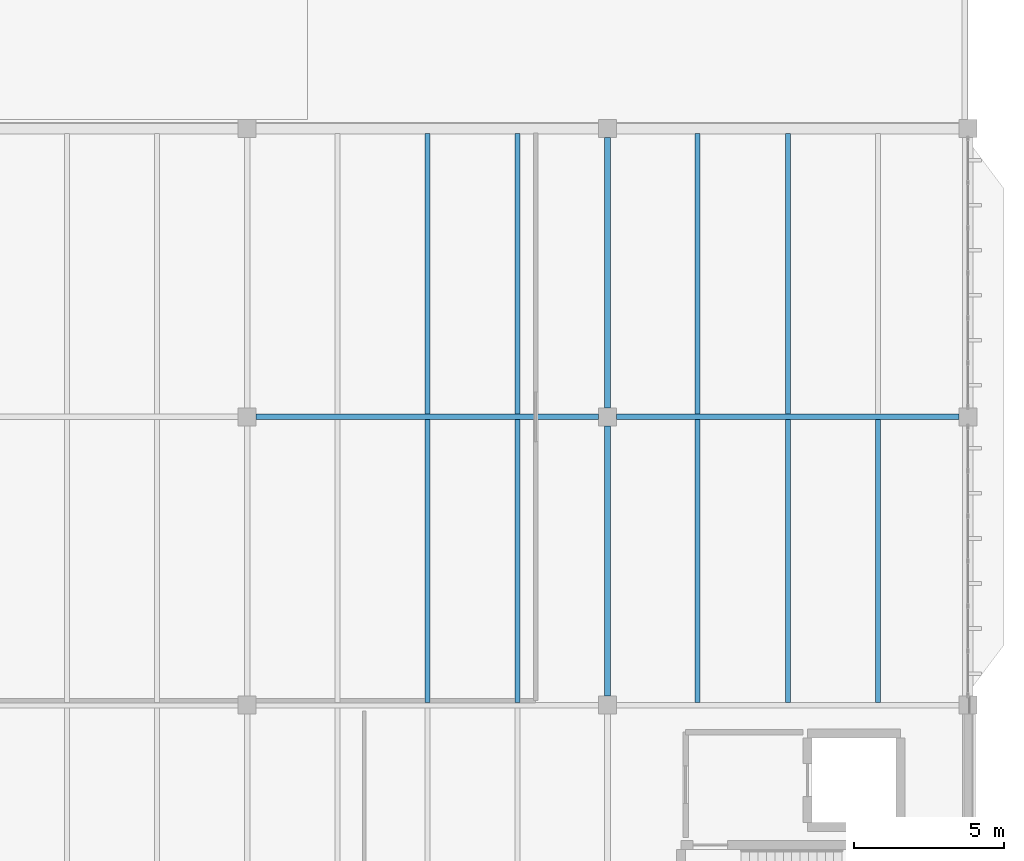
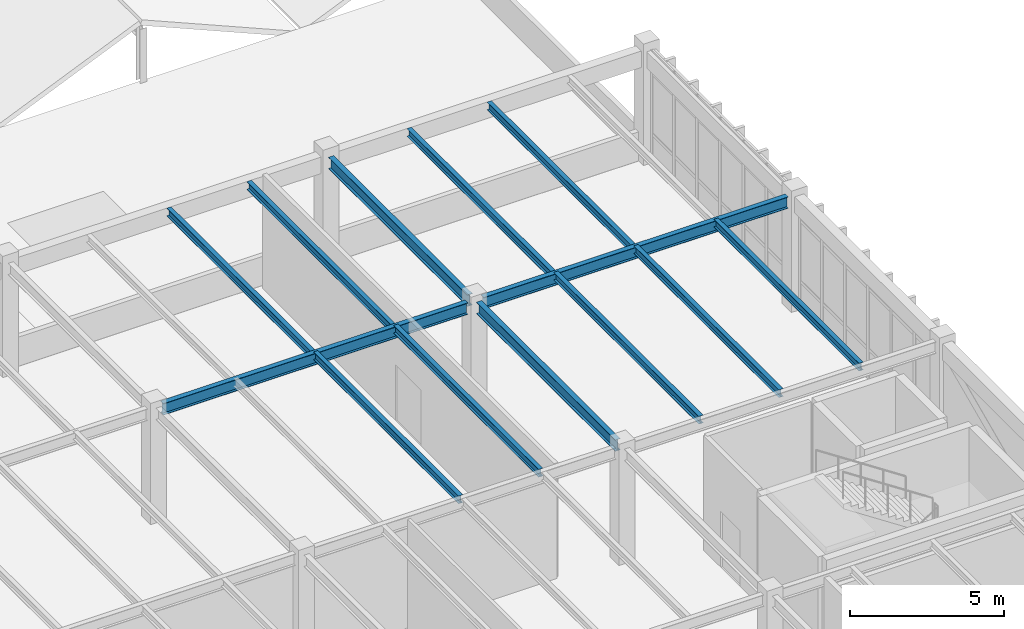
# One storey, part 168 of 236: 13 beams.
"""IFC4 building model written with IfcOpenShell, lengths in metres."""

from ifc_helpers import new_model, si_unit, direction, frame, origin, origin_2d, place, context, subcontext, project, spatial, i_section, extrude, material, material_profile, profile_set, type_object, element, save


model = new_model("IFC4")

# Units and contexts
model_context = context("Model", 3, precision=1e-05, world=origin(), true_north=direction((0.0, 1.0)))
body_context = subcontext(model_context, "Body", "Model", "MODEL_VIEW")
ifc_project = project(units=[si_unit("LENGTHUNIT", "METRE"), si_unit("AREAUNIT", "SQUARE_METRE"), si_unit("VOLUMEUNIT", "CUBIC_METRE"), si_unit("PLANEANGLEUNIT", "RADIAN"), si_unit("MASSUNIT", "GRAM", prefix="KILO")], contexts=[model_context])

# Site, building, storey
site_placement = place(None, origin())
site = spatial("IfcSite", under=ifc_project, at=site_placement, CompositionType="ELEMENT")
building_placement = place(site_placement, origin())
building = spatial("IfcBuilding", under=site, at=building_placement, Name="Pandanus Reach Market Hall", CompositionType="ELEMENT")
storey_placement = place(building_placement, frame((0.0, 0.0, 5.39990234375)))
storey = spatial("IfcBuildingStorey", under=building, at=storey_placement, Name="L01", CompositionType="ELEMENT", Elevation=5.39990234375)

# Beams
ifc_material = material(Name="Steel Grade 350 (350 MPa)", Category="steel")
ifc_material_profile_1 = material_profile(ifc_material, i_section(OverallWidth=0.18994140625, OverallDepth=0.45703125, WebThickness=0.009033203125, FlangeThickness=0.014404296875, at=origin_2d()), Name="460UB74.6", Category="LoadBearing")
ifc_profile_set_1 = profile_set([ifc_material_profile_1], Name="Steel Grade 350 (350 MPa)")
beam_type_1 = type_object("IfcBeamType", Name="BM-UB460-I", PredefinedType="BEAM", material=ifc_profile_set_1)
for number, where, z_axis, x_axis, name in (
    (1, (156.298095703125, 86.39990234375, 4.231201171875), (1.0, 0.0, 0.0), (0.0, 1.0, 0.0), "Framing beam BM-UB460-I L01.331"),
    (2, (168.298095703125, 86.39990234375, 4.231201171875), (1.0, 0.0, 0.0), (0.0, 1.0, 0.0), "Framing beam BM-UB460-I L01.332"),
):
    element("IfcBeam", number, at=place(storey_placement, frame(where, z_axis=z_axis, x_axis=x_axis)), inside=storey, type_object=beam_type_1, Name=name, PredefinedType="BEAM", context=body_context, shape_type="SweptSolid", body=[
        extrude(i_section(OverallWidth=0.18994140625, OverallDepth=0.45703125, WebThickness=0.009033203125, FlangeThickness=0.014404296875, at=origin_2d()), origin(), (0.0, 0.0, 1.0), 11.40380859375),
    ])
beam_1_placement = place(storey_placement, frame((168.0, 77.097900390625, 4.311279296875), z_axis=(0.0, 1.0, 0.0), x_axis=(-1.0, 0.0, 0.0)))
element("IfcBeam", 3, at=beam_1_placement, inside=storey, type_object=beam_type_1, Name="Framing beam BM-UB460-I L01.361", PredefinedType="BEAM", context=body_context, shape_type="SweptSolid", body=[
    extrude(i_section(OverallWidth=0.18994140625, OverallDepth=0.45703125, WebThickness=0.009033203125, FlangeThickness=0.014404296875, at=origin_2d()), origin(), (0.0, 0.0, 1.0), 9.004150390625),
])
beam_2_placement = place(storey_placement, frame((168.0, 86.697998046875, 4.231201171875), z_axis=(0.0, 1.0, 0.0), x_axis=(-1.0, 0.0, 0.0)))
element("IfcBeam", 4, at=beam_2_placement, inside=storey, type_object=beam_type_1, Name="Framing beam BM-UB460-I L01.362", PredefinedType="BEAM", context=body_context, shape_type="SweptSolid", body=[
    extrude(i_section(OverallWidth=0.18994140625, OverallDepth=0.45703125, WebThickness=0.009033203125, FlangeThickness=0.014404296875, at=origin_2d()), origin(), (0.0, 0.0, 1.0), 9.00390625),
])
ifc_material_profile_2 = material_profile(ifc_material, i_section(OverallWidth=0.166015625, OverallDepth=0.306884765625, WebThickness=0.006591796875, FlangeThickness=0.01171875, at=origin_2d()), Name="310UB46.2", Category="LoadBearing")
ifc_profile_set_2 = profile_set([ifc_material_profile_2], Name="Steel Grade 350 (350 MPa)")
beam_type_2 = type_object("IfcBeamType", Name="JS-UB310H-I", PredefinedType="JOIST", material=ifc_profile_set_2)
for number, where, z_axis, x_axis, name in (
    (5, (162.0, 76.89306640625, 4.38623046875), (0.0, 1.0, 0.0), (-1.0, 0.0, 0.0), "Secondary joist JS-UB310H-I L01.411"),
    (6, (165.0, 76.89306640625, 4.38623046875), (0.0, 1.0, 0.0), (-1.0, 0.0, 0.0), "Secondary joist JS-UB310H-I L01.412"),
):
    element("IfcBeam", number, at=place(storey_placement, frame(where, z_axis=z_axis, x_axis=x_axis)), inside=storey, type_object=beam_type_2, Name=name, PredefinedType="JOIST", context=body_context, shape_type="SweptSolid", body=[
        extrude(i_section(OverallWidth=0.166015625, OverallDepth=0.306884765625, WebThickness=0.006591796875, FlangeThickness=0.01171875, at=origin_2d()), origin(), (0.0, 0.0, 1.0), 9.413818359375),
    ])
for number, where, z_axis, x_axis, name in (
    (7, (162.0, 86.492919921875, 4.30615234375), (0.0, 1.0, 0.0), (-1.0, 0.0, 0.0), "Secondary joist JS-UB310H-I L01.414"),
    (8, (165.0, 86.492919921875, 4.30615234375), (0.0, 1.0, 0.0), (-1.0, 0.0, 0.0), "Secondary joist JS-UB310H-I L01.415"),
):
    element("IfcBeam", number, at=place(storey_placement, frame(where, z_axis=z_axis, x_axis=x_axis)), inside=storey, type_object=beam_type_2, Name=name, PredefinedType="JOIST", context=body_context, shape_type="SweptSolid", body=[
        extrude(i_section(OverallWidth=0.166015625, OverallDepth=0.306884765625, WebThickness=0.006591796875, FlangeThickness=0.01171875, at=origin_2d()), origin(), (0.0, 0.0, 1.0), 9.333984375),
    ])
for number, where, z_axis, x_axis, name in (
    (9, (171.0, 76.89306640625, 4.38623046875), (0.0, 1.0, 0.0), (-1.0, 0.0, 0.0), "Secondary joist JS-UB310H-I L01.431"),
    (10, (174.0, 76.89306640625, 4.38623046875), (0.0, 1.0, 0.0), (-1.0, 0.0, 0.0), "Secondary joist JS-UB310H-I L01.432"),
    (11, (177.0, 76.89306640625, 4.38623046875), (0.0, 1.0, 0.0), (-1.0, 0.0, 0.0), "Secondary joist JS-UB310H-I L01.433"),
):
    element("IfcBeam", number, at=place(storey_placement, frame(where, z_axis=z_axis, x_axis=x_axis)), inside=storey, type_object=beam_type_2, Name=name, PredefinedType="JOIST", context=body_context, shape_type="SweptSolid", body=[
        extrude(i_section(OverallWidth=0.166015625, OverallDepth=0.306884765625, WebThickness=0.006591796875, FlangeThickness=0.01171875, at=origin_2d()), origin(), (0.0, 0.0, 1.0), 9.413818359375),
    ])
for number, where, z_axis, x_axis, name in (
    (12, (171.0, 86.492919921875, 4.30615234375), (0.0, 1.0, 0.0), (-1.0, 0.0, 0.0), "Secondary joist JS-UB310H-I L01.434"),
    (13, (174.0, 86.492919921875, 4.30615234375), (0.0, 1.0, 0.0), (-1.0, 0.0, 0.0), "Secondary joist JS-UB310H-I L01.435"),
):
    element("IfcBeam", number, at=place(storey_placement, frame(where, z_axis=z_axis, x_axis=x_axis)), inside=storey, type_object=beam_type_2, Name=name, PredefinedType="JOIST", context=body_context, shape_type="SweptSolid", body=[
        extrude(i_section(OverallWidth=0.166015625, OverallDepth=0.306884765625, WebThickness=0.006591796875, FlangeThickness=0.01171875, at=origin_2d()), origin(), (0.0, 0.0, 1.0), 9.333984375),
    ])

save(model, "model.ifc")
